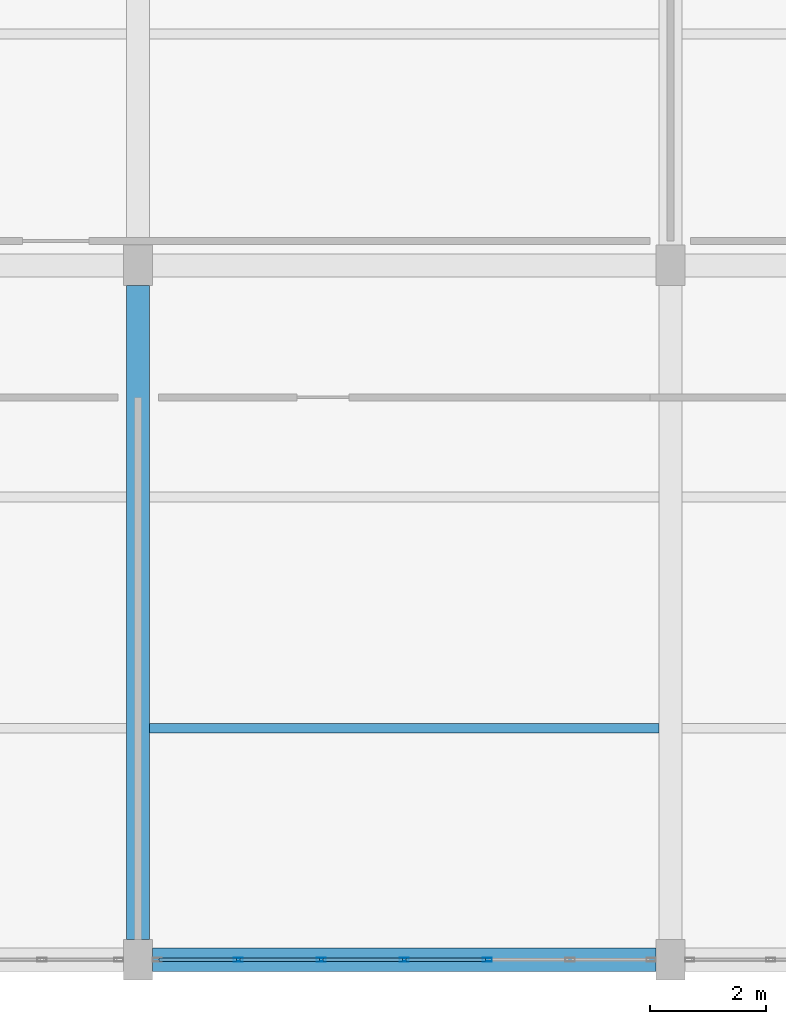
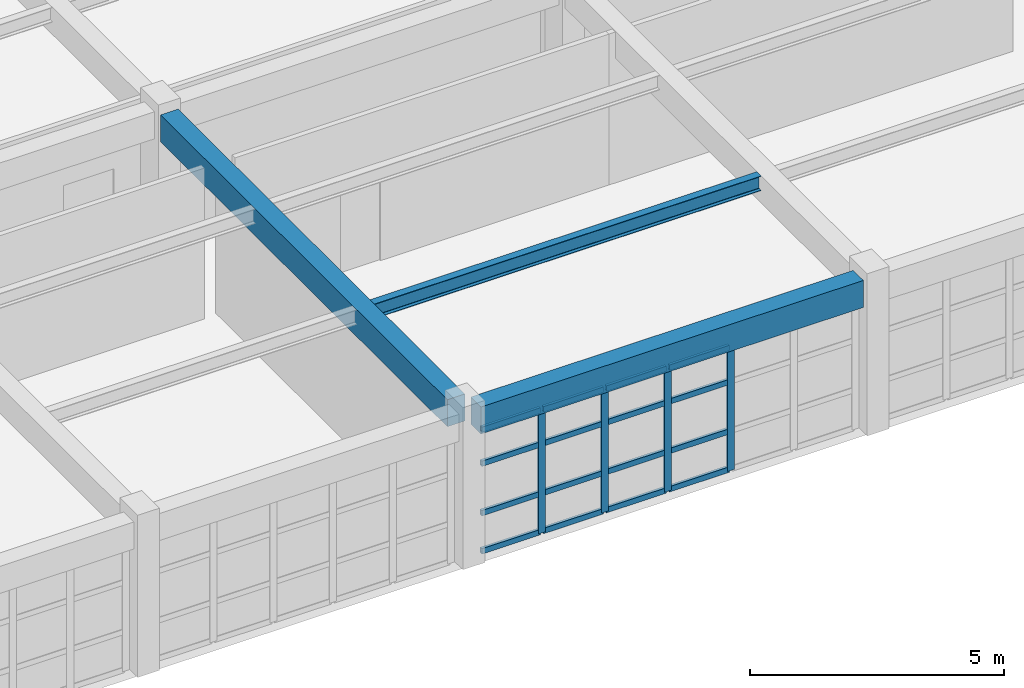
# One storey, part 20 of 150: 20 members, 3 beams, 1 element without a shape of its own.
"""IFC4 building model written with IfcOpenShell, lengths in metres."""

from ifc_helpers import new_model, si_unit, direction, frame, origin, origin_2d, place, context, subcontext, project, spatial, rectangle, hollow_rectangle, i_section, extrude, material, material_profile, profile_set, type_object, element, aggregate, save


model = new_model("IFC4")

# Units and contexts
model_context = context("Model", 3, precision=1e-05, world=origin(), true_north=direction((0.0, 1.0)))
body_context = subcontext(model_context, "Body", "Model", "MODEL_VIEW")
ifc_project = project(units=[si_unit("LENGTHUNIT", "METRE"), si_unit("AREAUNIT", "SQUARE_METRE"), si_unit("VOLUMEUNIT", "CUBIC_METRE"), si_unit("PLANEANGLEUNIT", "RADIAN"), si_unit("MASSUNIT", "GRAM", prefix="KILO")], contexts=[model_context])

# Site, building, storey
site_placement = place(None, origin())
site = spatial("IfcSite", under=ifc_project, at=site_placement, CompositionType="ELEMENT")
building_placement = place(site_placement, origin())
building = spatial("IfcBuilding", under=site, at=building_placement, Name="Kestramere Prow Commons", CompositionType="ELEMENT")
storey_placement = place(building_placement, frame((0.0, 0.0, 4.5)))
storey = spatial("IfcBuildingStorey", under=building, at=storey_placement, Name="L01", CompositionType="ELEMENT", Elevation=4.5)

# Beams
ifc_material_1 = material(Name="Precast concrete C40/50", Category="concrete")
ifc_material_profile_1 = material_profile(ifc_material_1, rectangle(XDim=0.39990234375, YDim=0.64990234375, at=origin_2d()), Name="PC-BM 400x650")
ifc_profile_set_1 = profile_set([ifc_material_profile_1], Name="Precast concrete C40/50")
beam_type_1 = type_object("IfcBeamType", Name="BM-MK-01 PC-BM 400x650", PredefinedType="BEAM", material=ifc_profile_set_1)
beam_1_placement = place(storey_placement, frame((75.800048828125, 0.35009765625, 3.324951171875), z_axis=(0.0, 1.0, 0.0), x_axis=(-1.0, 0.0, 0.0)))
element("IfcBeam", 1, at=beam_1_placement, inside=storey, type_object=beam_type_1, Name="Market Spine L01 Beam Y 3-1", PredefinedType="BEAM", context=body_context, shape_type="SweptSolid", body=[
    extrude(rectangle(XDim=0.39990234375, YDim=0.64990234375, at=origin_2d()), origin(), (0.0, 0.0, 1.0), 11.2998046875),
])
ifc_material_profile_2 = material_profile(ifc_material_1, rectangle(XDim=0.39990234375, YDim=0.64990234375, at=origin_2d()), Name="PC-BM 400x650")
ifc_profile_set_2 = profile_set([ifc_material_profile_2], Name="Precast concrete C40/50")
beam_type_2 = type_object("IfcBeamType", Name="BM-MK-01 PC-BM 400x650 (EX)", PredefinedType="BEAM", material=ifc_profile_set_2)
beam_2_placement = place(storey_placement, frame((76.050048828125, 0.0, 3.324951171875), z_axis=(1.0, 0.0, 0.0), x_axis=(0.0, 1.0, 0.0)))
element("IfcBeam", 2, at=beam_2_placement, inside=storey, type_object=beam_type_2, Name="Market Spine L01 Beam X 1-3", PredefinedType="BEAM", context=body_context, shape_type="SweptSolid", body=[
    extrude(rectangle(XDim=0.39990234375, YDim=0.64990234375, at=origin_2d()), origin(), (0.0, 0.0, 1.0), 8.699951171875),
])

# Curtain wall, members
ifc_material_2 = material(Name="Anodised Aluminium and Low-E Glass", Category="aluminium")
curtain_wall_type = type_object("IfcCurtainWallType", Name="CW-25 Glazed Curtain Wall 8600x2990", PredefinedType="USERDEFINED", material=ifc_material_2)
curtain_wall_placement = place(storey_placement, origin())
curtain_wall = element("IfcCurtainWall", 3, at=curtain_wall_placement, inside=storey, type_object=curtain_wall_type, Name="Market L01 South Shopfront 3", ObjectType="GLAZED CURTAIN WALL", PredefinedType="USERDEFINED")
ifc_material_3 = material(Name="Anodised Aluminium 6063-T6", Category="aluminium")
ifc_material_profile_3 = material_profile(ifc_material_3, hollow_rectangle(XDim=0.06494140625, YDim=0.159912109375, WallThickness=0.00390625, at=origin_2d()), Name="ALU-MUL 65x160")
ifc_profile_set_3 = profile_set([ifc_material_profile_3], Name="Anodised Aluminium 6063-T6")
member_type_1 = type_object("IfcMemberType", Name="CW-MUL-65x160", PredefinedType="MULLION", material=ifc_profile_set_3)
member_1_placement = place(storey_placement, frame((81.833251953125, 0.0, 0.0), z_axis=(0.0, 0.0, 1.0), x_axis=(0.0, -1.0, 0.0)))
member_1 = element("IfcMember", 4, at=member_1_placement, type_object=member_type_1, Name="CW-25 mullion 3", PredefinedType="MULLION", context=body_context, shape_type="SweptSolid", body=[
    extrude(hollow_rectangle(XDim=0.06494140625, YDim=0.159912109375, WallThickness=0.00390625, at=origin_2d()), origin(), (0.0, 0.0, 1.0), 2.989990234375),
])
member_2_placement = place(storey_placement, frame((80.39990234375, 0.0, 0.0), z_axis=(0.0, 0.0, 1.0), x_axis=(0.0, -1.0, 0.0)))
member_2 = element("IfcMember", 5, at=member_2_placement, type_object=member_type_1, Name="CW-25 mullion 4", PredefinedType="MULLION", context=body_context, shape_type="SweptSolid", body=[
    extrude(hollow_rectangle(XDim=0.06494140625, YDim=0.159912109375, WallThickness=0.00390625, at=origin_2d()), origin(), (0.0, 0.0, 1.0), 2.989990234375),
])
member_3_placement = place(storey_placement, frame((78.966552734375, 0.0, 0.0), z_axis=(0.0, 0.0, 1.0), x_axis=(0.0, -1.0, 0.0)))
member_3 = element("IfcMember", 6, at=member_3_placement, type_object=member_type_1, Name="CW-25 mullion 5", PredefinedType="MULLION", context=body_context, shape_type="SweptSolid", body=[
    extrude(hollow_rectangle(XDim=0.06494140625, YDim=0.159912109375, WallThickness=0.00390625, at=origin_2d()), origin(), (0.0, 0.0, 1.0), 2.989990234375),
])
member_4_placement = place(storey_placement, frame((77.533447265625, 0.0, 0.0), z_axis=(0.0, 0.0, 1.0), x_axis=(0.0, -1.0, 0.0)))
member_4 = element("IfcMember", 7, at=member_4_placement, type_object=member_type_1, Name="CW-25 mullion 6", PredefinedType="MULLION", context=body_context, shape_type="SweptSolid", body=[
    extrude(hollow_rectangle(XDim=0.06494140625, YDim=0.159912109375, WallThickness=0.00390625, at=origin_2d()), origin(), (0.0, 0.0, 1.0), 2.989990234375),
])
ifc_material_profile_4 = material_profile(ifc_material_3, hollow_rectangle(XDim=0.06494140625, YDim=0.1298828125, WallThickness=0.00390625, at=origin_2d()), Name="ALU-TRN 65x130")
ifc_profile_set_4 = profile_set([ifc_material_profile_4], Name="Anodised Aluminium 6063-T6")
member_type_2 = type_object("IfcMemberType", Name="CW-TRN-65x130", PredefinedType="USERDEFINED", material=ifc_profile_set_4)
member_5_placement = place(storey_placement, frame((81.80078125, 0.0, 0.032470703125), z_axis=(-1.0, 0.0, 0.0), x_axis=(0.0, -1.0, 0.0)))
member_5 = element("IfcMember", 8, at=member_5_placement, type_object=member_type_2, Name="CW-25 transom 3.1", ObjectType="TRANSOM", PredefinedType="USERDEFINED", context=body_context, shape_type="SweptSolid", body=[
    extrude(hollow_rectangle(XDim=0.06494140625, YDim=0.1298828125, WallThickness=0.00390625, at=origin_2d()), origin(), (0.0, 0.0, 1.0), 1.3681640625),
])
member_6_placement = place(storey_placement, frame((81.80078125, 0.0, 0.949951171875), z_axis=(-1.0, 0.0, 0.0), x_axis=(0.0, -1.0, 0.0)))
member_6 = element("IfcMember", 9, at=member_6_placement, type_object=member_type_2, Name="CW-25 transom 3.2", ObjectType="TRANSOM", PredefinedType="USERDEFINED", context=body_context, shape_type="SweptSolid", body=[
    extrude(hollow_rectangle(XDim=0.06494140625, YDim=0.1298828125, WallThickness=0.00390625, at=origin_2d()), origin(), (0.0, 0.0, 1.0), 1.3681640625),
])
member_7_placement = place(storey_placement, frame((81.80078125, 0.0, 2.139892578125), z_axis=(-1.0, 0.0, 0.0), x_axis=(0.0, -1.0, 0.0)))
member_7 = element("IfcMember", 10, at=member_7_placement, type_object=member_type_2, Name="CW-25 transom 3.3", ObjectType="TRANSOM", PredefinedType="USERDEFINED", context=body_context, shape_type="SweptSolid", body=[
    extrude(hollow_rectangle(XDim=0.06494140625, YDim=0.1298828125, WallThickness=0.00390625, at=origin_2d()), origin(), (0.0, 0.0, 1.0), 1.3681640625),
])
member_8_placement = place(storey_placement, frame((81.80078125, 0.0, 2.95751953125), z_axis=(-1.0, 0.0, 0.0), x_axis=(0.0, -1.0, 0.0)))
member_8 = element("IfcMember", 11, at=member_8_placement, type_object=member_type_2, Name="CW-25 transom 3.4", ObjectType="TRANSOM", PredefinedType="USERDEFINED", context=body_context, shape_type="SweptSolid", body=[
    extrude(hollow_rectangle(XDim=0.06494140625, YDim=0.1298828125, WallThickness=0.00390625, at=origin_2d()), origin(), (0.0, 0.0, 1.0), 1.3681640625),
])
member_9_placement = place(storey_placement, frame((80.367431640625, 0.0, 0.032470703125), z_axis=(-1.0, 0.0, 0.0), x_axis=(0.0, -1.0, 0.0)))
member_9 = element("IfcMember", 12, at=member_9_placement, type_object=member_type_2, Name="CW-25 transom 4.1", ObjectType="TRANSOM", PredefinedType="USERDEFINED", context=body_context, shape_type="SweptSolid", body=[
    extrude(hollow_rectangle(XDim=0.06494140625, YDim=0.1298828125, WallThickness=0.00390625, at=origin_2d()), origin(), (0.0, 0.0, 1.0), 1.3681640625),
])
member_10_placement = place(storey_placement, frame((80.367431640625, 0.0, 0.949951171875), z_axis=(-1.0, 0.0, 0.0), x_axis=(0.0, -1.0, 0.0)))
member_10 = element("IfcMember", 13, at=member_10_placement, type_object=member_type_2, Name="CW-25 transom 4.2", ObjectType="TRANSOM", PredefinedType="USERDEFINED", context=body_context, shape_type="SweptSolid", body=[
    extrude(hollow_rectangle(XDim=0.06494140625, YDim=0.1298828125, WallThickness=0.00390625, at=origin_2d()), origin(), (0.0, 0.0, 1.0), 1.3681640625),
])
member_11_placement = place(storey_placement, frame((80.367431640625, 0.0, 2.139892578125), z_axis=(-1.0, 0.0, 0.0), x_axis=(0.0, -1.0, 0.0)))
member_11 = element("IfcMember", 14, at=member_11_placement, type_object=member_type_2, Name="CW-25 transom 4.3", ObjectType="TRANSOM", PredefinedType="USERDEFINED", context=body_context, shape_type="SweptSolid", body=[
    extrude(hollow_rectangle(XDim=0.06494140625, YDim=0.1298828125, WallThickness=0.00390625, at=origin_2d()), origin(), (0.0, 0.0, 1.0), 1.3681640625),
])
member_12_placement = place(storey_placement, frame((80.367431640625, 0.0, 2.95751953125), z_axis=(-1.0, 0.0, 0.0), x_axis=(0.0, -1.0, 0.0)))
member_12 = element("IfcMember", 15, at=member_12_placement, type_object=member_type_2, Name="CW-25 transom 4.4", ObjectType="TRANSOM", PredefinedType="USERDEFINED", context=body_context, shape_type="SweptSolid", body=[
    extrude(hollow_rectangle(XDim=0.06494140625, YDim=0.1298828125, WallThickness=0.00390625, at=origin_2d()), origin(), (0.0, 0.0, 1.0), 1.3681640625),
])
member_13_placement = place(storey_placement, frame((78.93408203125, 0.0, 0.032470703125), z_axis=(-1.0, 0.0, 0.0), x_axis=(0.0, -1.0, 0.0)))
member_13 = element("IfcMember", 16, at=member_13_placement, type_object=member_type_2, Name="CW-25 transom 5.1", ObjectType="TRANSOM", PredefinedType="USERDEFINED", context=body_context, shape_type="SweptSolid", body=[
    extrude(hollow_rectangle(XDim=0.06494140625, YDim=0.1298828125, WallThickness=0.00390625, at=origin_2d()), origin(), (0.0, 0.0, 1.0), 1.3681640625),
])
member_14_placement = place(storey_placement, frame((78.93408203125, 0.0, 0.949951171875), z_axis=(-1.0, 0.0, 0.0), x_axis=(0.0, -1.0, 0.0)))
member_14 = element("IfcMember", 17, at=member_14_placement, type_object=member_type_2, Name="CW-25 transom 5.2", ObjectType="TRANSOM", PredefinedType="USERDEFINED", context=body_context, shape_type="SweptSolid", body=[
    extrude(hollow_rectangle(XDim=0.06494140625, YDim=0.1298828125, WallThickness=0.00390625, at=origin_2d()), origin(), (0.0, 0.0, 1.0), 1.3681640625),
])
member_15_placement = place(storey_placement, frame((78.93408203125, 0.0, 2.139892578125), z_axis=(-1.0, 0.0, 0.0), x_axis=(0.0, -1.0, 0.0)))
member_15 = element("IfcMember", 18, at=member_15_placement, type_object=member_type_2, Name="CW-25 transom 5.3", ObjectType="TRANSOM", PredefinedType="USERDEFINED", context=body_context, shape_type="SweptSolid", body=[
    extrude(hollow_rectangle(XDim=0.06494140625, YDim=0.1298828125, WallThickness=0.00390625, at=origin_2d()), origin(), (0.0, 0.0, 1.0), 1.3681640625),
])
member_16_placement = place(storey_placement, frame((78.93408203125, 0.0, 2.95751953125), z_axis=(-1.0, 0.0, 0.0), x_axis=(0.0, -1.0, 0.0)))
member_16 = element("IfcMember", 19, at=member_16_placement, type_object=member_type_2, Name="CW-25 transom 5.4", ObjectType="TRANSOM", PredefinedType="USERDEFINED", context=body_context, shape_type="SweptSolid", body=[
    extrude(hollow_rectangle(XDim=0.06494140625, YDim=0.1298828125, WallThickness=0.00390625, at=origin_2d()), origin(), (0.0, 0.0, 1.0), 1.3681640625),
])
member_17_placement = place(storey_placement, frame((77.500732421875, 0.0, 0.032470703125), z_axis=(-1.0, 0.0, 0.0), x_axis=(0.0, -1.0, 0.0)))
member_17 = element("IfcMember", 20, at=member_17_placement, type_object=member_type_2, Name="CW-25 transom 6.1", ObjectType="TRANSOM", PredefinedType="USERDEFINED", context=body_context, shape_type="SweptSolid", body=[
    extrude(hollow_rectangle(XDim=0.06494140625, YDim=0.1298828125, WallThickness=0.00390625, at=origin_2d()), origin(), (0.0, 0.0, 1.0), 1.335693359375),
])
member_18_placement = place(storey_placement, frame((77.500732421875, 0.0, 0.949951171875), z_axis=(-1.0, 0.0, 0.0), x_axis=(0.0, -1.0, 0.0)))
member_18 = element("IfcMember", 21, at=member_18_placement, type_object=member_type_2, Name="CW-25 transom 6.2", ObjectType="TRANSOM", PredefinedType="USERDEFINED", context=body_context, shape_type="SweptSolid", body=[
    extrude(hollow_rectangle(XDim=0.06494140625, YDim=0.1298828125, WallThickness=0.00390625, at=origin_2d()), origin(), (0.0, 0.0, 1.0), 1.335693359375),
])
member_19_placement = place(storey_placement, frame((77.500732421875, 0.0, 2.139892578125), z_axis=(-1.0, 0.0, 0.0), x_axis=(0.0, -1.0, 0.0)))
member_19 = element("IfcMember", 22, at=member_19_placement, type_object=member_type_2, Name="CW-25 transom 6.3", ObjectType="TRANSOM", PredefinedType="USERDEFINED", context=body_context, shape_type="SweptSolid", body=[
    extrude(hollow_rectangle(XDim=0.06494140625, YDim=0.1298828125, WallThickness=0.00390625, at=origin_2d()), origin(), (0.0, 0.0, 1.0), 1.335693359375),
])
member_20_placement = place(storey_placement, frame((77.500732421875, 0.0, 2.95751953125), z_axis=(-1.0, 0.0, 0.0), x_axis=(0.0, -1.0, 0.0)))
member_20 = element("IfcMember", 23, at=member_20_placement, type_object=member_type_2, Name="CW-25 transom 6.4", ObjectType="TRANSOM", PredefinedType="USERDEFINED", context=body_context, shape_type="SweptSolid", body=[
    extrude(hollow_rectangle(XDim=0.06494140625, YDim=0.1298828125, WallThickness=0.00390625, at=origin_2d()), origin(), (0.0, 0.0, 1.0), 1.335693359375),
])
aggregate(curtain_wall, [member_1, member_2, member_3, member_4, member_5, member_6, member_7, member_8, member_9, member_10, member_11, member_12, member_13, member_14, member_15, member_16, member_17, member_18, member_19, member_20])

# Beam
ifc_material_4 = material(Name="Steel S355JR", Category="steel")
ifc_material_profile_5 = material_profile(ifc_material_4, i_section(OverallWidth=0.17138671875, OverallDepth=0.35498046875, WebThickness=0.00732421875, FlangeThickness=0.011474609375, FilletRadius=0.01025390625, at=origin_2d()), Name="UB 356x171x51")
ifc_profile_set_5 = profile_set([ifc_material_profile_5], Name="Steel S355JR")
beam_type_3 = type_object("IfcBeamType", Name="JST-MK-01 UB 356x171x51", PredefinedType="JOIST", material=ifc_profile_set_5)
beam_3_placement = place(storey_placement, frame((76.0, 4.0, 3.472412109375), z_axis=(1.0, 0.0, 0.0), x_axis=(0.0, 1.0, 0.0)))
element("IfcBeam", 24, at=beam_3_placement, inside=storey, type_object=beam_type_3, Name="Market Spine L01 Secondary Joist 3-4", PredefinedType="JOIST", context=body_context, shape_type="SweptSolid", body=[
    extrude(i_section(OverallWidth=0.17138671875, OverallDepth=0.35498046875, WebThickness=0.00732421875, FlangeThickness=0.011474609375, FilletRadius=0.01025390625, at=origin_2d()), origin(), (0.0, 0.0, 1.0), 8.800048828125),
])

save(model, "model.ifc")
